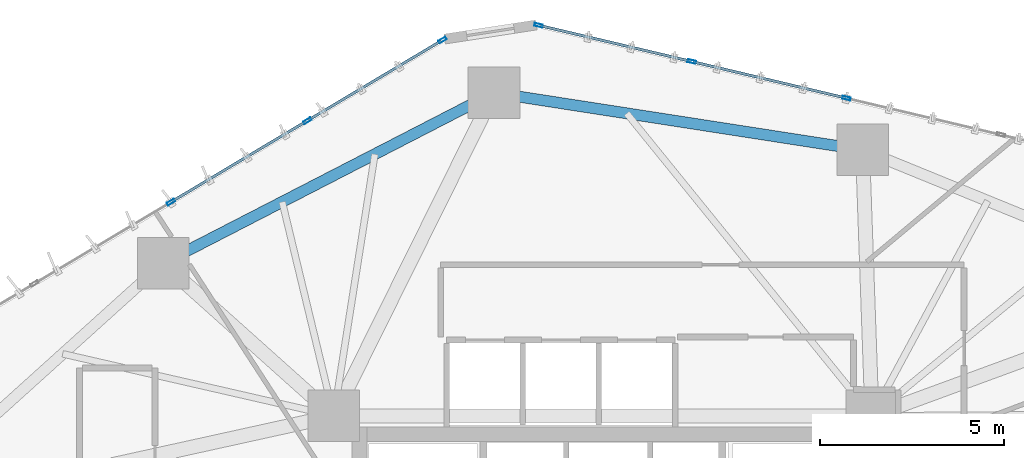
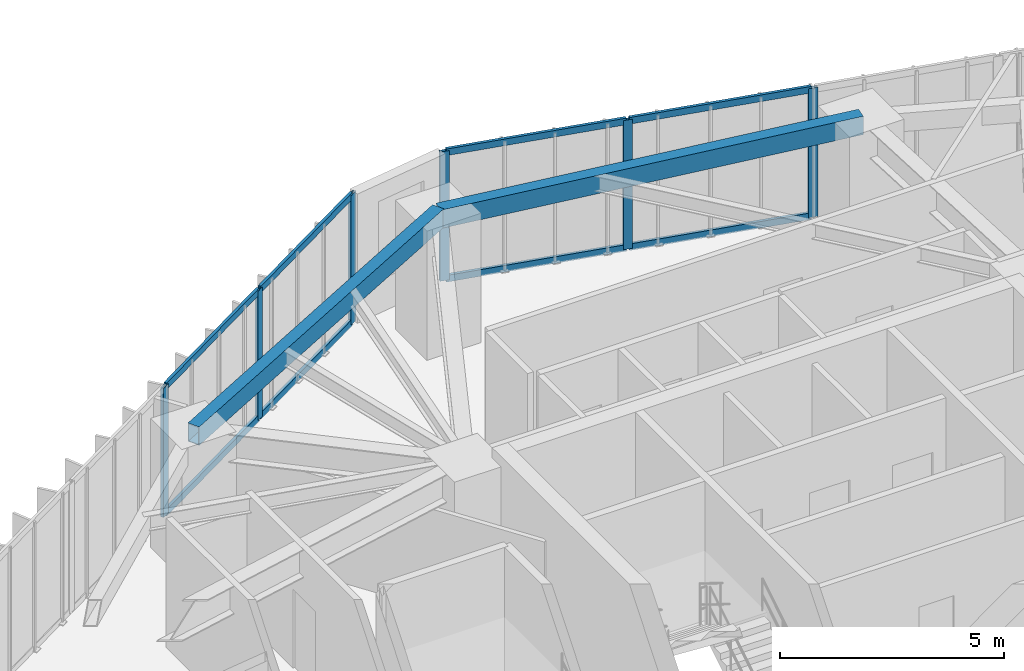
# One storey, part 14 of 23: 14 members, 2 beams, 2 elements without a shape of their own.
"""IFC4 building model written with IfcOpenShell, lengths in metres."""

import ifcopenshell
import ifcopenshell.guid

model = None  # the IFC model being written
_history = None  # IfcOwnerHistory: only IFC2X3 demands one
_inside = {}  # id of a spatial element -> (the spatial element, [elements in it])
_under = {}  # id of a project, library or spatial element -> (it, [spatial elements below it])
_declared = {}  # id of a project -> (the project, [libraries it declares])
_typed = {}  # id of a type object -> (the type object, [elements of that type])
_made_of = {}  # id of a material, layer set ... -> (it, [elements and type objects made of it])


def new_model(schema):
    """Start an empty IFC model of exactly this schema.

    Asked for "IFC4X3", IfcOpenShell would pick the latest addendum, in which some entities
    have other attributes; the version numbers below select the first issue.
    IFC2X3 requires an IfcOwnerHistory on every rooted entity: one is made here for all.
    """
    global model, _history
    if schema == "IFC4X3":
        model = ifcopenshell.file(schema_version=(4, 3, 0, 0))
    else:
        model = ifcopenshell.file(schema=schema)
    _inside.clear()
    _under.clear()
    _declared.clear()
    _typed.clear()
    _made_of.clear()
    _history = None
    if model.schema == "IFC2X3":
        org = make("IfcOrganization", Name="unknown")
        user = make(
            "IfcPersonAndOrganization",
            ThePerson=make("IfcPerson", FamilyName="unknown"),
            TheOrganization=org,
        )
        app = make(
            "IfcApplication",
            ApplicationDeveloper=org,
            Version="unknown",
            ApplicationFullName="unknown",
            ApplicationIdentifier="unknown",
        )
        _history = make(
            "IfcOwnerHistory",
            OwningUser=user,
            OwningApplication=app,
            ChangeAction="ADDED",
            CreationDate=0,
        )
    return model


def make(cls, **values):
    """One entity of the class cls with the attributes given. An attribute that is None is left unset."""
    return model.create_entity(
        cls, **{name: value for name, value in values.items() if value is not None}
    )


def rooted(cls, **values):
    """An entity with a GlobalId (a new one), such as an element, a storey or a relation."""
    return make(cls, GlobalId=ifcopenshell.guid.new(), OwnerHistory=_history, **values)


def si_unit(unit_type, name, prefix=None):
    """IfcSIUnit, for example si_unit("LENGTHUNIT", "METRE", prefix="MILLI")."""
    return make("IfcSIUnit", UnitType=unit_type, Prefix=prefix, Name=name)


def assignment(units):
    """IfcUnitAssignment: the units of a project."""
    return None if units is None else make("IfcUnitAssignment", Units=units)


def point(xyz):
    """IfcCartesianPoint."""
    return None if xyz is None else make("IfcCartesianPoint", Coordinates=xyz)


def direction(xyz):
    """IfcDirection."""
    return None if xyz is None else make("IfcDirection", DirectionRatios=xyz)


def frame(location, z_axis=None, x_axis=None):
    """IfcAxis2Placement3D, a coordinate frame: its origin and axes. An axis left out is left unset."""
    return make(
        "IfcAxis2Placement3D",
        Location=point(location),
        Axis=direction(z_axis),
        RefDirection=direction(x_axis),
    )


def frame_2d(location, x_axis=None):
    """IfcAxis2Placement2D, a coordinate frame in the plane: its origin and x axis."""
    return make(
        "IfcAxis2Placement2D", Location=point(location), RefDirection=direction(x_axis)
    )


def origin():
    """The frame at (0, 0, 0) with its axes left unset."""
    return frame((0.0, 0.0, 0.0))


def origin_2d():
    """The frame at (0, 0) in the plane with its x axis left unset."""
    return frame_2d((0.0, 0.0))


def place(relative_to, where):
    """IfcLocalPlacement: puts the frame where relative to a parent placement (None: the world)."""
    return make(
        "IfcLocalPlacement", PlacementRelTo=relative_to, RelativePlacement=where
    )


def context(
    kind, dimensions, precision=None, world=None, true_north=None, identifier=None
):
    """IfcGeometricRepresentationContext, for example the 3D "Model" context."""
    return make(
        "IfcGeometricRepresentationContext",
        ContextIdentifier=identifier,
        ContextType=kind,
        CoordinateSpaceDimension=dimensions,
        Precision=precision,
        WorldCoordinateSystem=world,
        TrueNorth=true_north,
    )


def subcontext(parent, identifier, kind, view, scale=None):
    """IfcGeometricRepresentationSubContext, for example "Body" below "Model"."""
    return make(
        "IfcGeometricRepresentationSubContext",
        ContextIdentifier=identifier,
        ContextType=kind,
        ParentContext=parent,
        TargetScale=scale,
        TargetView=view,
    )


def project(units=None, contexts=None):
    """IfcProject with its units and contexts."""
    return rooted(
        "IfcProject",
        Name="project",
        RepresentationContexts=contexts,
        UnitsInContext=assignment(units),
    )


def spatial(cls, under=None, at=None, **own):
    """A site, building, storey or space (cls), placed at a placement, below another one or the project."""
    s = rooted(cls, ObjectPlacement=at, **own)
    if under is not None:
        _under.setdefault(under.id(), (under, []))[1].append(s)
    return s


def profile(cls, at=None, kind="AREA", **sizes):
    """A parametric profile (cls). Its sizes go by their IFC names, for example OverallWidth=200.0."""
    return make(cls, ProfileType=kind, Position=at, **sizes)


def hollow_rectangle(**sizes):
    """IfcRectangleHollowProfileDef."""
    return profile("IfcRectangleHollowProfileDef", **sizes)


def extrude(swept, where, along, depth):
    """IfcExtrudedAreaSolid: the profile swept, set in the frame where, extruded along a direction by depth."""
    return make(
        "IfcExtrudedAreaSolid",
        SweptArea=swept,
        Position=where,
        ExtrudedDirection=direction(along),
        Depth=depth,
    )


def shape(context_of_items, identifier, shape_type, items):
    """IfcShapeRepresentation: the items that make up one representation, for example the "Body"."""
    return make(
        "IfcShapeRepresentation",
        ContextOfItems=context_of_items,
        RepresentationIdentifier=identifier,
        RepresentationType=shape_type,
        Items=items,
    )


def source(mapping_origin, context_of_items, identifier, shape_type, items):
    """IfcRepresentationMap: a shape defined once, which mapped items show again and again."""
    return make(
        "IfcRepresentationMap",
        MappingOrigin=mapping_origin,
        MappedRepresentation=shape(context_of_items, identifier, shape_type, items),
    )


def transform(
    local_origin,
    x_axis=None,
    y_axis=None,
    z_axis=None,
    scale=None,
    scale2=None,
    scale3=None,
    uniform=True,
):
    """IfcCartesianTransformationOperator3D, or its non-uniform kind. x_axis, y_axis, z_axis: its Axis1, 2, 3."""
    if uniform:
        return make(
            "IfcCartesianTransformationOperator3D",
            Axis1=direction(x_axis),
            Axis2=direction(y_axis),
            LocalOrigin=point(local_origin),
            Scale=scale,
            Axis3=direction(z_axis),
        )
    return make(
        "IfcCartesianTransformationOperator3DnonUniform",
        Axis1=direction(x_axis),
        Axis2=direction(y_axis),
        LocalOrigin=point(local_origin),
        Scale=scale,
        Axis3=direction(z_axis),
        Scale2=scale2,
        Scale3=scale3,
    )


def mapped(mapping_source, mapping_target):
    """IfcMappedItem: shows the shape of a source again, moved by a transform."""
    return make(
        "IfcMappedItem", MappingSource=mapping_source, MappingTarget=mapping_target
    )


def material(Name=None, Category=None):
    """IfcMaterial."""
    return make("IfcMaterial", Name=Name, Category=Category)


def layer(
    of_material, thickness, ventilated=None, Name=None, Category=None, Priority=None
):
    """IfcMaterialLayer: one layer of a wall or slab, of a material (None: an air gap)."""
    return make(
        "IfcMaterialLayer",
        Material=of_material,
        LayerThickness=thickness,
        IsVentilated=ventilated,
        Name=Name,
        Category=Category,
        Priority=Priority,
    )


def layer_set(layers, Name=None):
    """IfcMaterialLayerSet."""
    return make("IfcMaterialLayerSet", MaterialLayers=layers, LayerSetName=Name)


def material_profile(
    of_material, cross_section, Name=None, Category=None, Priority=None
):
    """IfcMaterialProfile: a cross section and its material."""
    return make(
        "IfcMaterialProfile",
        Name=Name,
        Material=of_material,
        Profile=cross_section,
        Priority=Priority,
        Category=Category,
    )


def profile_set(profiles, Name=None, composite=None):
    """IfcMaterialProfileSet."""
    return make(
        "IfcMaterialProfileSet",
        Name=Name,
        MaterialProfiles=profiles,
        CompositeProfile=composite,
    )


def made_of(thing, what):
    """Note that an element or type object is made of a material, layer set ...; save() writes the relation."""
    if what is not None:
        _made_of.setdefault(what.id(), (what, []))[1].append(thing)
    return thing


def type_object(cls, material=None, **own):
    """A type object (cls), such as IfcWallType, which elements share."""
    return made_of(rooted(cls, **own), material)


def type_shapes(of_type, sources):
    """Give a type object the sources (RepresentationMaps) that its elements show as mapped items."""
    of_type.RepresentationMaps = sources


def element(
    cls,
    number,
    at=None,
    inside=None,
    cuts=None,
    type_object=None,
    material=None,
    context=None,
    identifier="Body",
    shape_type=None,
    held_by="IfcProductDefinitionShape",
    body=None,
    shapes=None,
    **own,
):
    """One element of the class cls, such as IfcWall. Its Tag is "e" and its number.

    at: its placement. inside: the storey or other place that contains it. cuts: it is an
    opening in that element (IfcRelVoidsElement). A single representation is given by context,
    identifier, shape_type and body (its items); several are given by shapes. held_by: the class
    of the entity that holds the representations. save() writes the other relations.
    """
    e = rooted(cls, Tag="e%d" % number, ObjectPlacement=at, **own)
    if body is not None:
        shapes = [shape(context, identifier, shape_type, body)]
    if shapes is not None:
        e.Representation = make(held_by, Representations=shapes)
    if inside is not None:
        _inside.setdefault(inside.id(), (inside, []))[1].append(e)
    if cuts is not None:
        rooted(
            "IfcRelVoidsElement", RelatingBuildingElement=cuts, RelatedOpeningElement=e
        )
    if type_object is not None:
        _typed.setdefault(type_object.id(), (type_object, []))[1].append(e)
    return made_of(e, material)


def aggregate(whole, parts):
    """IfcRelAggregates: a whole, such as a stair, and the parts it consists of."""
    return rooted("IfcRelAggregates", RelatingObject=whole, RelatedObjects=parts)


def save(model, path):
    """Write the relations noted so far, then the file.

    IfcRelAggregates (storeys below a building ...), IfcRelContainedInSpatialStructure (elements
    in a storey), IfcRelDefinesByType, IfcRelAssociatesMaterial and IfcRelDeclares: one each for
    every whole, place, type object, material and project.
    """
    for whole, parts in _under.values():
        aggregate(whole, parts)
    for where, things in _inside.values():
        rooted(
            "IfcRelContainedInSpatialStructure",
            RelatedElements=things,
            RelatingStructure=where,
        )
    for kind, things in _typed.values():
        rooted("IfcRelDefinesByType", RelatedObjects=things, RelatingType=kind)
    for what, things in _made_of.values():
        rooted("IfcRelAssociatesMaterial", RelatedObjects=things, RelatingMaterial=what)
    for by, libraries in _declared.values():
        rooted("IfcRelDeclares", RelatingContext=by, RelatedDefinitions=libraries)
    model.write(path)


model = new_model("IFC4")

# Units and contexts
model_context = context("Model", 3, precision=1e-05, world=origin(), true_north=direction((0.0, 1.0)))
body_context = subcontext(model_context, "Body", "Model", "MODEL_VIEW")
ifc_project = project(units=[si_unit("LENGTHUNIT", "METRE"), si_unit("AREAUNIT", "SQUARE_METRE"), si_unit("VOLUMEUNIT", "CUBIC_METRE"), si_unit("PLANEANGLEUNIT", "RADIAN"), si_unit("MASSUNIT", "GRAM", prefix="KILO")], contexts=[model_context])

# Site, building, storey
site_placement = place(None, origin())
site = spatial("IfcSite", under=ifc_project, at=site_placement, CompositionType="ELEMENT")
building_placement = place(site_placement, origin())
building = spatial("IfcBuilding", under=site, at=building_placement, Name="Talar Marvaseh", CompositionType="ELEMENT")
storey_placement = place(building_placement, frame((0.0, 0.0, 50.60009765625)))
storey = spatial("IfcBuildingStorey", under=building, at=storey_placement, Name="L12", CompositionType="ELEMENT", Elevation=50.60009765625)

# Beams
ifc_material_1 = material(Name="Steel S355", Category="steel")
ifc_material_profile_1 = material_profile(ifc_material_1, hollow_rectangle(XDim=0.300048828125, YDim=0.5, WallThickness=0.02001953125, at=origin_2d()), Name="RHS500x300x20")
ifc_profile_set_1 = profile_set([ifc_material_profile_1], Name="Steel S355")
beam_type = type_object("IfcBeamType", Name="Zone 1 Perimeter Spandrel Beam RHS500x300x20", PredefinedType="SPANDREL", material=ifc_profile_set_1)
beam_1_placement = place(storey_placement, frame((14.069091796875, 41.04296875, 3.27001953125), z_axis=(0.889015710182, 0.457876694155, 0.0), x_axis=(-0.457876694155, 0.889015710182, 0.0)))
element("IfcBeam", 1, at=beam_1_placement, inside=storey, type_object=beam_type, Name="L12 Zone 1 Perimeter Spandrel Beam RHS500x300x20", PredefinedType="SPANDREL", context=body_context, shape_type="SweptSolid", body=[
    extrude(hollow_rectangle(XDim=0.300048828125, YDim=0.5, WallThickness=0.02001953125, at=origin_2d()), origin(), (0.0, 0.0, 1.0), 10.098876953125),
])
beam_2_placement = place(storey_placement, frame((23.047119140625, 45.6669921875, 3.27001953125), z_axis=(0.988210751461, -0.153099675693, 0.0), x_axis=(0.153099675693, 0.988210751461, 0.0)))
element("IfcBeam", 2, at=beam_2_placement, inside=storey, type_object=beam_type, Name="L12 Zone 1 Perimeter Spandrel Beam RHS500x300x20", PredefinedType="SPANDREL", context=body_context, shape_type="SweptSolid", body=[
    extrude(hollow_rectangle(XDim=0.300048828125, YDim=0.5, WallThickness=0.02001953125, at=origin_2d()), origin(), (0.0, 0.0, 1.0), 10.1181640625),
])

# Curtain wall, members
ifc_material_2 = material(Name="Architectural Aluminium", Category="aluminium")
ifc_layer = layer(ifc_material_2, 0.219970703125)
ifc_layer_set = layer_set([ifc_layer], Name="Architectural Aluminium")
curtain_wall_type = type_object("IfcCurtainWallType", Name="Unitised Low-E Museum Curtain Wall Z1", PredefinedType="NOTDEFINED", material=ifc_layer_set)
curtain_wall_1_placement = place(storey_placement, origin())
curtain_wall_1 = element("IfcCurtainWall", 3, at=curtain_wall_1_placement, inside=storey, type_object=curtain_wall_type, Name="L12 Unitised Low-E Museum Curtain Wall Z1", PredefinedType="NOTDEFINED")
ifc_material_profile_2 = material_profile(ifc_material_2, hollow_rectangle(XDim=0.080078125, YDim=0.219970703125, WallThickness=0.0048828125, at=origin_2d()), Name="RHS220x80x5")
ifc_profile_set_2 = profile_set([ifc_material_profile_2], Name="Architectural Aluminium")
member_type_1 = type_object("IfcMemberType", Name="Unitised Curtain Wall Heavy Mullion RHS220x80x5", PredefinedType="MULLION", material=ifc_profile_set_2)
shared_shape_1 = source(origin(), body_context, "Body", "SweptSolid", [
    extrude(hollow_rectangle(XDim=0.080078125, YDim=0.219970703125, WallThickness=0.0048828125, at=origin_2d()), origin(), (0.0, 0.0, 1.0), 3.52001953125),
])
type_shapes(member_type_1, [shared_shape_1])
member_1_placement = place(storey_placement, frame((14.27880859375, 42.699462890625, 0.0), z_axis=(0.0, 0.0, 1.0), x_axis=(-0.512310486248, 0.858800306055, 0.0)))
member_1 = element("IfcMember", 4, at=member_1_placement, type_object=member_type_1, Name="CW-Z1 mullion 3", PredefinedType="MULLION", context=body_context, shape_type="MappedRepresentation", body=[
    mapped(shared_shape_1, transform((0.0, 0.0, 0.0), x_axis=(1.0, 0.0, 0.0), y_axis=(0.0, 1.0, 0.0), z_axis=(0.0, 0.0, 1.0), scale=1.0)),
])
member_2_placement = place(storey_placement, frame((17.98193359375, 44.908447265625, 0.0), z_axis=(0.0, 0.0, 1.0), x_axis=(-0.512310486248, 0.858800306055, 0.0)))
member_2 = element("IfcMember", 5, at=member_2_placement, type_object=member_type_1, Name="CW-Z1 mullion 4", PredefinedType="MULLION", context=body_context, shape_type="MappedRepresentation", body=[
    mapped(shared_shape_1, transform((0.0, 0.0, 0.0), x_axis=(1.0, 0.0, 0.0), y_axis=(0.0, 1.0, 0.0), z_axis=(0.0, 0.0, 1.0), scale=1.0)),
])
member_3_placement = place(storey_placement, frame((21.650634765625, 47.096923828125, 0.0), z_axis=(0.0, 0.0, 1.0), x_axis=(-0.512310486248, 0.858800306055, 0.0)))
member_3 = element("IfcMember", 6, at=member_3_placement, type_object=member_type_1, Name="CW-Z1 mullion 5", PredefinedType="MULLION", context=body_context, shape_type="MappedRepresentation", body=[
    mapped(shared_shape_1, transform((0.0, 0.0, 0.0), x_axis=(1.0, 0.0, 0.0), y_axis=(0.0, 1.0, 0.0), z_axis=(0.0, 0.0, 1.0), scale=1.0)),
])

curtain_wall_2_placement = place(storey_placement, origin())
curtain_wall_2 = element("IfcCurtainWall", 7, at=curtain_wall_2_placement, inside=storey, type_object=curtain_wall_type, Name="L12 Unitised Low-E Museum Curtain Wall Z1", PredefinedType="NOTDEFINED")
member_4_placement = place(storey_placement, frame((24.255126953125, 47.497802734375, 0.0), z_axis=(0.0, 0.0, 1.0), x_axis=(0.230351815158, 0.973107415064, 0.0)))
member_4 = element("IfcMember", 8, at=member_4_placement, type_object=member_type_1, Name="CW-Z1 mullion 1", PredefinedType="MULLION", context=body_context, shape_type="MappedRepresentation", body=[
    mapped(shared_shape_1, transform((0.0, 0.0, 0.0), x_axis=(1.0, 0.0, 0.0), y_axis=(0.0, 1.0, 0.0), z_axis=(0.0, 0.0, 1.0), scale=1.0)),
])
member_5_placement = place(storey_placement, frame((28.412109375, 46.513916015625, 0.0), z_axis=(0.0, 0.0, 1.0), x_axis=(0.230351815158, 0.973107415064, 0.0)))
member_5 = element("IfcMember", 9, at=member_5_placement, type_object=member_type_1, Name="CW-Z1 mullion 2", PredefinedType="MULLION", context=body_context, shape_type="MappedRepresentation", body=[
    mapped(shared_shape_1, transform((0.0, 0.0, 0.0), x_axis=(1.0, 0.0, 0.0), y_axis=(0.0, 1.0, 0.0), z_axis=(0.0, 0.0, 1.0), scale=1.0)),
])
member_6_placement = place(storey_placement, frame((32.608154296875, 45.5205078125, 0.0), z_axis=(0.0, 0.0, 1.0), x_axis=(0.230351815158, 0.973107415064, 0.0)))
member_6 = element("IfcMember", 10, at=member_6_placement, type_object=member_type_1, Name="CW-Z1 mullion 3", PredefinedType="MULLION", context=body_context, shape_type="MappedRepresentation", body=[
    mapped(shared_shape_1, transform((0.0, 0.0, 0.0), x_axis=(1.0, 0.0, 0.0), y_axis=(0.0, 1.0, 0.0), z_axis=(0.0, 0.0, 1.0), scale=1.0)),
])
ifc_material_profile_3 = material_profile(ifc_material_2, hollow_rectangle(XDim=0.074951171875, YDim=0.179931640625, WallThickness=0.0048828125, at=origin_2d()), Name="RHS180x75x5")
ifc_profile_set_3 = profile_set([ifc_material_profile_3], Name="Architectural Aluminium")
member_type_2 = type_object("IfcMemberType", Name="Unitised Curtain Wall Transom RHS180x75x5", PredefinedType="USERDEFINED", material=ifc_profile_set_3)
shared_shape_2 = source(origin(), body_context, "Body", "SweptSolid", [
    extrude(hollow_rectangle(XDim=0.074951171875, YDim=0.179931640625, WallThickness=0.0048828125, at=origin_2d()), origin(), (0.0, 0.0, 1.0), 4.23193359375),
])
member_7_placement = place(storey_placement, frame((28.450927734375, 46.504638671875, 0.037353515625), z_axis=(0.973106837124, -0.230354256618, 0.0), x_axis=(0.230354256618, 0.973106837124, 0.0)))
member_7 = element("IfcMember", 11, at=member_7_placement, type_object=member_type_2, Name="CW-Z1 transom 2.1", ObjectType="TRANSOM", PredefinedType="USERDEFINED", context=body_context, shape_type="MappedRepresentation", body=[
    mapped(shared_shape_2, transform((0.0, 0.0, 0.0), x_axis=(1.0, 0.0, 0.0), y_axis=(0.0, 1.0, 0.0), z_axis=(0.0, 0.0, 1.0), scale=1.0)),
])
member_8_placement = place(storey_placement, frame((28.450927734375, 46.504638671875, 3.482421875), z_axis=(0.973106837124, -0.230354256618, 0.0), x_axis=(0.230354256618, 0.973106837124, 0.0)))
member_8 = element("IfcMember", 12, at=member_8_placement, type_object=member_type_2, Name="CW-Z1 transom 2.2", ObjectType="TRANSOM", PredefinedType="USERDEFINED", context=body_context, shape_type="MappedRepresentation", body=[
    mapped(shared_shape_2, transform((0.0, 0.0, 0.0), x_axis=(1.0, 0.0, 0.0), y_axis=(0.0, 1.0, 0.0), z_axis=(0.0, 0.0, 1.0), scale=1.0)),
])

# Member
shared_shape_3 = source(origin(), body_context, "Body", "SweptSolid", [
    extrude(hollow_rectangle(XDim=0.074951171875, YDim=0.179931640625, WallThickness=0.0048828125, at=origin_2d()), origin(), (0.0, 0.0, 1.0), 4.191650390625),
])
member_9_placement = place(storey_placement, frame((18.016357421875, 44.928955078125, 0.037353515625), z_axis=(0.858800623171, 0.512309954657, 0.0), x_axis=(-0.512309954657, 0.858800623171, 0.0)))
member_9 = element("IfcMember", 13, at=member_9_placement, type_object=member_type_2, Name="CW-Z1 transom 4.1", ObjectType="TRANSOM", PredefinedType="USERDEFINED", context=body_context, shape_type="MappedRepresentation", body=[
    mapped(shared_shape_3, transform((0.0, 0.0, 0.0), x_axis=(1.0, 0.0, 0.0), y_axis=(0.0, 1.0, 0.0), z_axis=(0.0, 0.0, 1.0), scale=1.0)),
])

member_10_placement = place(storey_placement, frame((18.016357421875, 44.928955078125, 3.482421875), z_axis=(0.858800623171, 0.512309954657, 0.0), x_axis=(-0.512309954657, 0.858800623171, 0.0)))
member_10 = element("IfcMember", 14, at=member_10_placement, type_object=member_type_2, Name="CW-Z1 transom 4.2", ObjectType="TRANSOM", PredefinedType="USERDEFINED", context=body_context, shape_type="MappedRepresentation", body=[
    mapped(shared_shape_3, transform((0.0, 0.0, 0.0), x_axis=(1.0, 0.0, 0.0), y_axis=(0.0, 1.0, 0.0), z_axis=(0.0, 0.0, 1.0), scale=1.0)),
])

shared_shape_4 = source(origin(), body_context, "Body", "SweptSolid", [
    extrude(hollow_rectangle(XDim=0.074951171875, YDim=0.179931640625, WallThickness=0.0048828125, at=origin_2d()), origin(), (0.0, 0.0, 1.0), 4.231689453125),
])
member_11_placement = place(storey_placement, frame((14.313232421875, 42.719970703125, 0.037353515625), z_axis=(0.858803473891, 0.51230517588, 0.0), x_axis=(-0.51230517588, 0.858803473891, 0.0)))
member_11 = element("IfcMember", 15, at=member_11_placement, type_object=member_type_2, Name="CW-Z1 transom 3.1", ObjectType="TRANSOM", PredefinedType="USERDEFINED", context=body_context, shape_type="MappedRepresentation", body=[
    mapped(shared_shape_4, transform((0.0, 0.0, 0.0), x_axis=(1.0, 0.0, 0.0), y_axis=(0.0, 1.0, 0.0), z_axis=(0.0, 0.0, 1.0), scale=1.0)),
])

member_12_placement = place(storey_placement, frame((14.313232421875, 42.719970703125, 3.482421875), z_axis=(0.858803473891, 0.51230517588, 0.0), x_axis=(-0.51230517588, 0.858803473891, 0.0)))
member_12 = element("IfcMember", 16, at=member_12_placement, type_object=member_type_2, Name="CW-Z1 transom 3.2", ObjectType="TRANSOM", PredefinedType="USERDEFINED", context=body_context, shape_type="MappedRepresentation", body=[
    mapped(shared_shape_4, transform((0.0, 0.0, 0.0), x_axis=(1.0, 0.0, 0.0), y_axis=(0.0, 1.0, 0.0), z_axis=(0.0, 0.0, 1.0), scale=1.0)),
])

aggregate(curtain_wall_1, [member_1, member_2, member_3, member_11, member_12, member_9, member_10])

shared_shape_5 = source(origin(), body_context, "Body", "SweptSolid", [
    extrude(hollow_rectangle(XDim=0.074951171875, YDim=0.179931640625, WallThickness=0.0048828125, at=origin_2d()), origin(), (0.0, 0.0, 1.0), 4.192138671875),
])
type_shapes(member_type_2, [shared_shape_2, shared_shape_3, shared_shape_4, shared_shape_5])
member_13_placement = place(storey_placement, frame((24.2939453125, 47.48876953125, 0.037353515625), z_axis=(0.973098500529, -0.23038947083, 0.0), x_axis=(0.23038947083, 0.973098500529, 0.0)))
member_13 = element("IfcMember", 17, at=member_13_placement, type_object=member_type_2, Name="CW-Z1 transom 1.1", ObjectType="TRANSOM", PredefinedType="USERDEFINED", context=body_context, shape_type="MappedRepresentation", body=[
    mapped(shared_shape_5, transform((0.0, 0.0, 0.0), x_axis=(1.0, 0.0, 0.0), y_axis=(0.0, 1.0, 0.0), z_axis=(0.0, 0.0, 1.0), scale=1.0)),
])

member_14_placement = place(storey_placement, frame((24.2939453125, 47.48876953125, 3.482421875), z_axis=(0.973098500529, -0.23038947083, 0.0), x_axis=(0.23038947083, 0.973098500529, 0.0)))
member_14 = element("IfcMember", 18, at=member_14_placement, type_object=member_type_2, Name="CW-Z1 transom 1.2", ObjectType="TRANSOM", PredefinedType="USERDEFINED", context=body_context, shape_type="MappedRepresentation", body=[
    mapped(shared_shape_5, transform((0.0, 0.0, 0.0), x_axis=(1.0, 0.0, 0.0), y_axis=(0.0, 1.0, 0.0), z_axis=(0.0, 0.0, 1.0), scale=1.0)),
])

aggregate(curtain_wall_2, [member_4, member_5, member_6, member_13, member_14, member_7, member_8])

save(model, "model.ifc")
